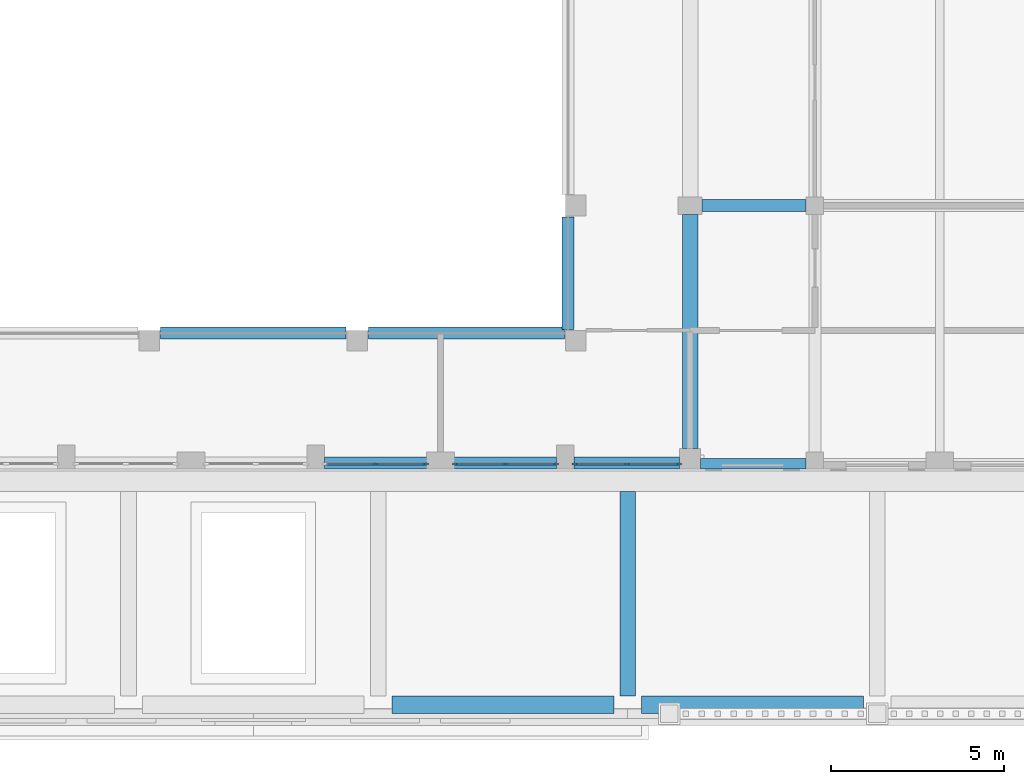
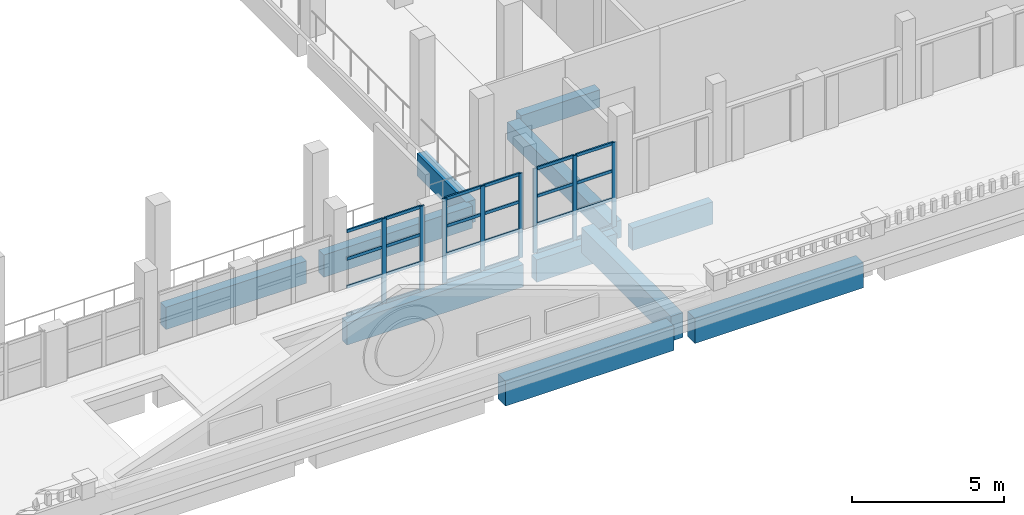
# One storey, part 7 of 58: 32 members, 11 beams, 3 elements without a shape of their own.
"""IFC4 building model written with IfcOpenShell, lengths in metres."""

from ifc_helpers import new_model, si_unit, direction, frame, origin, origin_2d, place, context, subcontext, project, spatial, rectangle, extrude, material, layer, layer_set, material_profile, profile_set, type_object, element, aggregate, save


model = new_model("IFC4")

# Units and contexts
model_context = context("Model", 3, precision=1e-05, world=origin(), true_north=direction((0.0, 1.0)))
body_context = subcontext(model_context, "Body", "Model", "MODEL_VIEW")
ifc_project = project(units=[si_unit("LENGTHUNIT", "METRE"), si_unit("AREAUNIT", "SQUARE_METRE"), si_unit("VOLUMEUNIT", "CUBIC_METRE"), si_unit("PLANEANGLEUNIT", "RADIAN"), si_unit("MASSUNIT", "GRAM", prefix="KILO")], contexts=[model_context])

# Site, building, storey
site_placement = place(None, origin())
site = spatial("IfcSite", under=ifc_project, at=site_placement, CompositionType="ELEMENT")
building_placement = place(site_placement, origin())
building = spatial("IfcBuilding", under=site, at=building_placement, Name="Ussher Court Research Institute", CompositionType="ELEMENT")
storey_placement = place(building_placement, frame((0.0, 0.0, 9.89990234375)))
storey = spatial("IfcBuildingStorey", under=building, at=storey_placement, Name="L02", CompositionType="ELEMENT", Elevation=9.89990234375)

# Curtain wall, members
ifc_material_1 = material(Name="Bronze anodised aluminium with low-e glass", Category="aluminium")
ifc_layer = layer(ifc_material_1, 0.1201171875)
ifc_layer_set = layer_set([ifc_layer], Name="Bronze anodised aluminium with low-e glass")
curtain_wall_type = type_object("IfcCurtainWallType", Name="Curtain wall atrium clear glazing", PredefinedType="NOTDEFINED", material=ifc_layer_set)
curtain_wall_1_placement = place(storey_placement, origin())
curtain_wall_1 = element("IfcCurtainWall", 1, at=curtain_wall_1_placement, inside=storey, type_object=curtain_wall_type, Name="Curtain wall CW2 L02", PredefinedType="NOTDEFINED")
ifc_material_2 = material(Name="Bronze anodised aluminium", Category="aluminium")
ifc_material_profile_1 = material_profile(ifc_material_2, rectangle(XDim=0.06005859375, YDim=0.159912109375, at=origin_2d()), Name="Mullion 60x160")
ifc_profile_set_1 = profile_set([ifc_material_profile_1], Name="Bronze anodised aluminium")
member_type_1 = type_object("IfcMemberType", Name="Mullion 60x160", PredefinedType="MULLION", material=ifc_profile_set_1)
member_1_placement = place(storey_placement, frame((63.8701171875, 10.949951171875, 0.0), z_axis=(0.0, 0.0, 1.0), x_axis=(0.0, -1.0, 0.0)))
member_1 = element("IfcMember", 2, at=member_1_placement, type_object=member_type_1, Name="CW2 mullion 1", PredefinedType="MULLION", context=body_context, shape_type="SweptSolid", body=[
    extrude(rectangle(XDim=0.06005859375, YDim=0.159912109375, at=origin_2d()), origin(), (0.0, 0.0, 1.0), 3.400146484375),
])
member_2_placement = place(storey_placement, frame((62.375, 10.949951171875, 0.0), z_axis=(0.0, 0.0, 1.0), x_axis=(0.0, -1.0, 0.0)))
member_2 = element("IfcMember", 3, at=member_2_placement, type_object=member_type_1, Name="CW2 mullion 2", PredefinedType="MULLION", context=body_context, shape_type="SweptSolid", body=[
    extrude(rectangle(XDim=0.06005859375, YDim=0.159912109375, at=origin_2d()), origin(), (0.0, 0.0, 1.0), 3.400146484375),
])
member_3_placement = place(storey_placement, frame((60.8798828125, 10.949951171875, 0.0), z_axis=(0.0, 0.0, 1.0), x_axis=(0.0, -1.0, 0.0)))
member_3 = element("IfcMember", 4, at=member_3_placement, type_object=member_type_1, Name="CW2 mullion 3", PredefinedType="MULLION", context=body_context, shape_type="SweptSolid", body=[
    extrude(rectangle(XDim=0.06005859375, YDim=0.159912109375, at=origin_2d()), origin(), (0.0, 0.0, 1.0), 3.400146484375),
])

curtain_wall_2_placement = place(storey_placement, origin())
curtain_wall_2 = element("IfcCurtainWall", 5, at=curtain_wall_2_placement, inside=storey, type_object=curtain_wall_type, Name="Curtain wall CW2 L02", PredefinedType="NOTDEFINED")
member_4_placement = place(storey_placement, frame((60.320068359375, 10.949951171875, 0.0), z_axis=(0.0, 0.0, 1.0), x_axis=(0.0, -1.0, 0.0)))
member_4 = element("IfcMember", 6, at=member_4_placement, type_object=member_type_1, Name="CW2 mullion 1", PredefinedType="MULLION", context=body_context, shape_type="SweptSolid", body=[
    extrude(rectangle(XDim=0.06005859375, YDim=0.159912109375, at=origin_2d()), origin(), (0.0, 0.0, 1.0), 3.400146484375),
])
member_5_placement = place(storey_placement, frame((58.875, 10.949951171875, 0.0), z_axis=(0.0, 0.0, 1.0), x_axis=(0.0, -1.0, 0.0)))
member_5 = element("IfcMember", 7, at=member_5_placement, type_object=member_type_1, Name="CW2 mullion 2", PredefinedType="MULLION", context=body_context, shape_type="SweptSolid", body=[
    extrude(rectangle(XDim=0.06005859375, YDim=0.159912109375, at=origin_2d()), origin(), (0.0, 0.0, 1.0), 3.400146484375),
])
member_6_placement = place(storey_placement, frame((57.429931640625, 10.949951171875, 0.0), z_axis=(0.0, 0.0, 1.0), x_axis=(0.0, -1.0, 0.0)))
member_6 = element("IfcMember", 8, at=member_6_placement, type_object=member_type_1, Name="CW2 mullion 3", PredefinedType="MULLION", context=body_context, shape_type="SweptSolid", body=[
    extrude(rectangle(XDim=0.06005859375, YDim=0.159912109375, at=origin_2d()), origin(), (0.0, 0.0, 1.0), 3.400146484375),
])

curtain_wall_3_placement = place(storey_placement, origin())
curtain_wall_3 = element("IfcCurtainWall", 9, at=curtain_wall_3_placement, inside=storey, type_object=curtain_wall_type, Name="Curtain wall CW2 L02", PredefinedType="NOTDEFINED")
member_7_placement = place(storey_placement, frame((56.570068359375, 10.949951171875, 0.0), z_axis=(0.0, 0.0, 1.0), x_axis=(0.0, -1.0, 0.0)))
member_7 = element("IfcMember", 10, at=member_7_placement, type_object=member_type_1, Name="CW2 mullion 1", PredefinedType="MULLION", context=body_context, shape_type="SweptSolid", body=[
    extrude(rectangle(XDim=0.06005859375, YDim=0.159912109375, at=origin_2d()), origin(), (0.0, 0.0, 1.0), 3.400146484375),
])
member_8_placement = place(storey_placement, frame((55.125, 10.949951171875, 0.0), z_axis=(0.0, 0.0, 1.0), x_axis=(0.0, -1.0, 0.0)))
member_8 = element("IfcMember", 11, at=member_8_placement, type_object=member_type_1, Name="CW2 mullion 2", PredefinedType="MULLION", context=body_context, shape_type="SweptSolid", body=[
    extrude(rectangle(XDim=0.06005859375, YDim=0.159912109375, at=origin_2d()), origin(), (0.0, 0.0, 1.0), 3.400146484375),
])

# Beams
ifc_material_3 = material(Name="Concrete C35/45", Category="concrete")
ifc_material_profile_2 = material_profile(ifc_material_3, rectangle(XDim=0.300048828125, YDim=0.89990234375, at=origin_2d()), Name="RC 300x900")
ifc_profile_set_2 = profile_set([ifc_material_profile_2], Name="Concrete C35/45")
beam_type_1 = type_object("IfcBeamType", Name="RC 300x900 beam", PredefinedType="BEAM", material=ifc_profile_set_2)
beam_1_placement = place(storey_placement, frame((64.5, 10.949951171875, -0.64990234375), z_axis=(1.0, 0.0, 0.0), x_axis=(0.0, 1.0, 0.0)))
element("IfcBeam", 12, at=beam_1_placement, inside=storey, type_object=beam_type_1, Name="SB2 V7 L02-03", PredefinedType="BEAM", context=body_context, shape_type="SweptSolid", body=[
    extrude(rectangle(XDim=0.300048828125, YDim=0.89990234375, at=origin_2d()), origin(), (0.0, 0.0, 1.0), 3.050048828125),
])
ifc_material_4 = material(Name="Concrete C35/45", Category="concrete")
ifc_material_profile_3 = material_profile(ifc_material_4, rectangle(XDim=0.35009765625, YDim=0.699951171875, at=origin_2d()), Name="RC 350x700")
ifc_profile_set_3 = profile_set([ifc_material_profile_3], Name="Concrete C35/45")
beam_type_2 = type_object("IfcBeamType", Name="RC 350x700 beam", PredefinedType="BEAM", material=ifc_profile_set_3)
beam_2_placement = place(storey_placement, frame((64.550048828125, 18.39990234375, -0.5498046875), z_axis=(1.0, 0.0, 0.0), x_axis=(0.0, 1.0, 0.0)))
element("IfcBeam", 13, at=beam_2_placement, inside=storey, type_object=beam_type_2, Name="B16 V7 L02-03", PredefinedType="BEAM", context=body_context, shape_type="SweptSolid", body=[
    extrude(rectangle(XDim=0.35009765625, YDim=0.699951171875, at=origin_2d()), origin(), (0.0, 0.0, 1.0), 3.0),
])
ifc_material_5 = material(Name="Concrete C35/45", Category="concrete")
ifc_material_profile_4 = material_profile(ifc_material_5, rectangle(XDim=0.35009765625, YDim=0.89990234375, at=origin_2d()), Name="RC 350x900")
ifc_profile_set_4 = profile_set([ifc_material_profile_4], Name="Concrete C35/45")
beam_type_3 = type_object("IfcBeamType", Name="RC 350x900 beam", PredefinedType="BEAM", material=ifc_profile_set_4)
beam_3_placement = place(storey_placement, frame((53.64990234375, 10.97509765625, -0.64990234375), z_axis=(1.0, 0.0, 0.0), x_axis=(0.0, 1.0, 0.0)))
element("IfcBeam", 14, at=beam_3_placement, inside=storey, type_object=beam_type_3, Name="SB1 V2 L02-03", PredefinedType="BEAM", context=body_context, shape_type="SweptSolid", body=[
    extrude(rectangle(XDim=0.35009765625, YDim=0.89990234375, at=origin_2d()), origin(), (0.0, 0.0, 1.0), 6.7001953125),
])
beam_4_placement = place(storey_placement, frame((60.85009765625, 10.97509765625, -0.64990234375), z_axis=(1.0, 0.0, 0.0), x_axis=(0.0, 1.0, 0.0)))
element("IfcBeam", 15, at=beam_4_placement, inside=storey, type_object=beam_type_3, Name="SB1 V2 L02-04", PredefinedType="BEAM", context=body_context, shape_type="SweptSolid", body=[
    extrude(rectangle(XDim=0.35009765625, YDim=0.89990234375, at=origin_2d()), origin(), (0.0, 0.0, 1.0), 3.0498046875),
])
beam_5_placement = place(storey_placement, frame((60.675048828125, 14.824951171875, -0.64990234375), z_axis=(0.0, 1.0, 0.0), x_axis=(-1.0, 0.0, 0.0)))
element("IfcBeam", 16, at=beam_5_placement, inside=storey, type_object=beam_type_3, Name="SB1 V2 L02-13", PredefinedType="BEAM", context=body_context, shape_type="SweptSolid", body=[
    extrude(rectangle(XDim=0.35009765625, YDim=0.89990234375, at=origin_2d()), origin(), (0.0, 0.0, 1.0), 3.25),
])
beam_6_placement = place(storey_placement, frame((48.925048828125, 14.72509765625, -0.64990234375), z_axis=(1.0, 0.0, 0.0), x_axis=(0.0, 1.0, 0.0)))
element("IfcBeam", 17, at=beam_6_placement, inside=storey, type_object=beam_type_3, Name="SB1 V2 L02-18", PredefinedType="BEAM", context=body_context, shape_type="SweptSolid", body=[
    extrude(rectangle(XDim=0.35009765625, YDim=0.89990234375, at=origin_2d()), origin(), (0.0, 0.0, 1.0), 5.349853515625),
])
beam_7_placement = place(storey_placement, frame((54.925048828125, 14.72509765625, -0.64990234375), z_axis=(1.0, 0.0, 0.0), x_axis=(0.0, 1.0, 0.0)))
element("IfcBeam", 18, at=beam_7_placement, inside=storey, type_object=beam_type_3, Name="SB1 V2 L02-19", PredefinedType="BEAM", context=body_context, shape_type="SweptSolid", body=[
    extrude(rectangle(XDim=0.35009765625, YDim=0.89990234375, at=origin_2d()), origin(), (0.0, 0.0, 1.0), 5.64990234375),
])
ifc_material_6 = material(Name="Concrete C35/45", Category="concrete")
ifc_material_profile_5 = material_profile(ifc_material_6, rectangle(XDim=0.449951171875, YDim=1.0, at=origin_2d()), Name="RC 450x1000")
ifc_profile_set_5 = profile_set([ifc_material_profile_5], Name="Concrete C35/45")
beam_type_4 = type_object("IfcBeamType", Name="RC 450x1000 beam", PredefinedType="BEAM", material=ifc_profile_set_5)
beam_8_placement = place(storey_placement, frame((62.39990234375, 4.25, 0.5400390625), z_axis=(0.0, 1.0, 0.0), x_axis=(-1.0, 0.0, 0.0)))
element("IfcBeam", 19, at=beam_8_placement, inside=storey, type_object=beam_type_4, Name="B19 V6 L02-05", PredefinedType="BEAM", context=body_context, shape_type="SweptSolid", body=[
    extrude(rectangle(XDim=0.449951171875, YDim=1.0, at=origin_2d()), origin(), (0.0, 0.0, 1.0), 5.89990234375),
])
ifc_material_7 = material(Name="Concrete C35/45", Category="concrete")
ifc_material_profile_6 = material_profile(ifc_material_7, rectangle(XDim=0.449951171875, YDim=0.699951171875, at=origin_2d()), Name="RC 450x700")
ifc_profile_set_6 = profile_set([ifc_material_profile_6], Name="Concrete C35/45")
beam_type_5 = type_object("IfcBeamType", Name="RC 450x700 beam", PredefinedType="BEAM", material=ifc_profile_set_6)
beam_9_placement = place(storey_placement, frame((64.199951171875, 11.39990234375, -0.5498046875), z_axis=(0.0, 1.0, 0.0), x_axis=(-1.0, 0.0, 0.0)))
element("IfcBeam", 20, at=beam_9_placement, inside=storey, type_object=beam_type_5, Name="B10 V2 L02-05", PredefinedType="BEAM", context=body_context, shape_type="SweptSolid", body=[
    extrude(rectangle(XDim=0.449951171875, YDim=0.699951171875, at=origin_2d()), origin(), (0.0, 0.0, 1.0), 6.75),
])
ifc_material_8 = material(Name="Concrete C35/45", Category="concrete")
ifc_material_profile_7 = material_profile(ifc_material_8, rectangle(XDim=0.5, YDim=1.0, at=origin_2d()), Name="RC 500x1000")
ifc_profile_set_7 = profile_set([ifc_material_profile_7], Name="Concrete C35/45")
beam_type_6 = type_object("IfcBeamType", Name="RC 500x1000 beam", PredefinedType="BEAM", material=ifc_profile_set_7)
for number, where, z_axis, x_axis, name in (
    (21, (55.60009765625, 4.0, 0.5400390625), (1.0, 0.0, 0.0), (0.0, 1.0, 0.0), "B12 V6 L02-05"),
    (22, (62.800048828125, 4.0, 0.5400390625), (1.0, 0.0, 0.0), (0.0, 1.0, 0.0), "B12 V6 L02-06"),
):
    element("IfcBeam", number, at=place(storey_placement, frame(where, z_axis=z_axis, x_axis=x_axis)), inside=storey, type_object=beam_type_6, Name=name, PredefinedType="BEAM", context=body_context, shape_type="SweptSolid", body=[
        extrude(rectangle(XDim=0.5, YDim=1.0, at=origin_2d()), origin(), (0.0, 0.0, 1.0), 6.39990234375),
    ])

# Member
ifc_material_9 = material(Name="Bronze anodised aluminium", Category="aluminium")
ifc_material_profile_8 = material_profile(ifc_material_9, rectangle(XDim=0.06005859375, YDim=0.1201171875, at=origin_2d()), Name="Transom 60x120")
ifc_profile_set_8 = profile_set([ifc_material_profile_8], Name="Bronze anodised aluminium")
member_type_2 = type_object("IfcMemberType", Name="Transom 60x120", PredefinedType="USERDEFINED", material=ifc_profile_set_8)
member_9_placement = place(storey_placement, frame((63.840087890625, 10.949951171875, 0.030029296875), z_axis=(-1.0, 0.0, 0.0), x_axis=(0.0, -1.0, 0.0)))
member_9 = element("IfcMember", 23, at=member_9_placement, type_object=member_type_2, Name="CW2 transom 1.1", ObjectType="TRANSOM", PredefinedType="USERDEFINED", context=body_context, shape_type="SweptSolid", body=[
    extrude(rectangle(XDim=0.06005859375, YDim=0.1201171875, at=origin_2d()), origin(), (0.0, 0.0, 1.0), 1.43505859375),
])

member_10_placement = place(storey_placement, frame((63.840087890625, 10.949951171875, 1.13330078125), z_axis=(-1.0, 0.0, 0.0), x_axis=(0.0, -1.0, 0.0)))
member_10 = element("IfcMember", 24, at=member_10_placement, type_object=member_type_2, Name="CW2 transom 1.2", ObjectType="TRANSOM", PredefinedType="USERDEFINED", context=body_context, shape_type="SweptSolid", body=[
    extrude(rectangle(XDim=0.06005859375, YDim=0.1201171875, at=origin_2d()), origin(), (0.0, 0.0, 1.0), 1.43505859375),
])

member_11_placement = place(storey_placement, frame((63.840087890625, 10.949951171875, 2.266845703125), z_axis=(-1.0, 0.0, 0.0), x_axis=(0.0, -1.0, 0.0)))
member_11 = element("IfcMember", 25, at=member_11_placement, type_object=member_type_2, Name="CW2 transom 1.3", ObjectType="TRANSOM", PredefinedType="USERDEFINED", context=body_context, shape_type="SweptSolid", body=[
    extrude(rectangle(XDim=0.06005859375, YDim=0.1201171875, at=origin_2d()), origin(), (0.0, 0.0, 1.0), 1.43505859375),
])

member_12_placement = place(storey_placement, frame((63.840087890625, 10.949951171875, 3.3701171875), z_axis=(-1.0, 0.0, 0.0), x_axis=(0.0, -1.0, 0.0)))
member_12 = element("IfcMember", 26, at=member_12_placement, type_object=member_type_2, Name="CW2 transom 1.4", ObjectType="TRANSOM", PredefinedType="USERDEFINED", context=body_context, shape_type="SweptSolid", body=[
    extrude(rectangle(XDim=0.06005859375, YDim=0.1201171875, at=origin_2d()), origin(), (0.0, 0.0, 1.0), 1.43505859375),
])

member_13_placement = place(storey_placement, frame((62.344970703125, 10.949951171875, 0.030029296875), z_axis=(-1.0, 0.0, 0.0), x_axis=(0.0, -1.0, 0.0)))
member_13 = element("IfcMember", 27, at=member_13_placement, type_object=member_type_2, Name="CW2 transom 2.1", ObjectType="TRANSOM", PredefinedType="USERDEFINED", context=body_context, shape_type="SweptSolid", body=[
    extrude(rectangle(XDim=0.06005859375, YDim=0.1201171875, at=origin_2d()), origin(), (0.0, 0.0, 1.0), 1.43505859375),
])

member_14_placement = place(storey_placement, frame((62.344970703125, 10.949951171875, 1.13330078125), z_axis=(-1.0, 0.0, 0.0), x_axis=(0.0, -1.0, 0.0)))
member_14 = element("IfcMember", 28, at=member_14_placement, type_object=member_type_2, Name="CW2 transom 2.2", ObjectType="TRANSOM", PredefinedType="USERDEFINED", context=body_context, shape_type="SweptSolid", body=[
    extrude(rectangle(XDim=0.06005859375, YDim=0.1201171875, at=origin_2d()), origin(), (0.0, 0.0, 1.0), 1.43505859375),
])

member_15_placement = place(storey_placement, frame((62.344970703125, 10.949951171875, 2.266845703125), z_axis=(-1.0, 0.0, 0.0), x_axis=(0.0, -1.0, 0.0)))
member_15 = element("IfcMember", 29, at=member_15_placement, type_object=member_type_2, Name="CW2 transom 2.3", ObjectType="TRANSOM", PredefinedType="USERDEFINED", context=body_context, shape_type="SweptSolid", body=[
    extrude(rectangle(XDim=0.06005859375, YDim=0.1201171875, at=origin_2d()), origin(), (0.0, 0.0, 1.0), 1.43505859375),
])

member_16_placement = place(storey_placement, frame((62.344970703125, 10.949951171875, 3.3701171875), z_axis=(-1.0, 0.0, 0.0), x_axis=(0.0, -1.0, 0.0)))
member_16 = element("IfcMember", 30, at=member_16_placement, type_object=member_type_2, Name="CW2 transom 2.4", ObjectType="TRANSOM", PredefinedType="USERDEFINED", context=body_context, shape_type="SweptSolid", body=[
    extrude(rectangle(XDim=0.06005859375, YDim=0.1201171875, at=origin_2d()), origin(), (0.0, 0.0, 1.0), 1.43505859375),
])

aggregate(curtain_wall_1, [member_1, member_2, member_3, member_9, member_10, member_11, member_12, member_13, member_14, member_15, member_16])

member_17_placement = place(storey_placement, frame((60.2900390625, 10.949951171875, 0.030029296875), z_axis=(-1.0, 0.0, 0.0), x_axis=(0.0, -1.0, 0.0)))
member_17 = element("IfcMember", 31, at=member_17_placement, type_object=member_type_2, Name="CW2 transom 1.1", ObjectType="TRANSOM", PredefinedType="USERDEFINED", context=body_context, shape_type="SweptSolid", body=[
    extrude(rectangle(XDim=0.06005859375, YDim=0.1201171875, at=origin_2d()), origin(), (0.0, 0.0, 1.0), 1.385009765625),
])

member_18_placement = place(storey_placement, frame((60.2900390625, 10.949951171875, 1.13330078125), z_axis=(-1.0, 0.0, 0.0), x_axis=(0.0, -1.0, 0.0)))
member_18 = element("IfcMember", 32, at=member_18_placement, type_object=member_type_2, Name="CW2 transom 1.2", ObjectType="TRANSOM", PredefinedType="USERDEFINED", context=body_context, shape_type="SweptSolid", body=[
    extrude(rectangle(XDim=0.06005859375, YDim=0.1201171875, at=origin_2d()), origin(), (0.0, 0.0, 1.0), 1.385009765625),
])

member_19_placement = place(storey_placement, frame((60.2900390625, 10.949951171875, 2.266845703125), z_axis=(-1.0, 0.0, 0.0), x_axis=(0.0, -1.0, 0.0)))
member_19 = element("IfcMember", 33, at=member_19_placement, type_object=member_type_2, Name="CW2 transom 1.3", ObjectType="TRANSOM", PredefinedType="USERDEFINED", context=body_context, shape_type="SweptSolid", body=[
    extrude(rectangle(XDim=0.06005859375, YDim=0.1201171875, at=origin_2d()), origin(), (0.0, 0.0, 1.0), 1.385009765625),
])

member_20_placement = place(storey_placement, frame((60.2900390625, 10.949951171875, 3.3701171875), z_axis=(-1.0, 0.0, 0.0), x_axis=(0.0, -1.0, 0.0)))
member_20 = element("IfcMember", 34, at=member_20_placement, type_object=member_type_2, Name="CW2 transom 1.4", ObjectType="TRANSOM", PredefinedType="USERDEFINED", context=body_context, shape_type="SweptSolid", body=[
    extrude(rectangle(XDim=0.06005859375, YDim=0.1201171875, at=origin_2d()), origin(), (0.0, 0.0, 1.0), 1.385009765625),
])

member_21_placement = place(storey_placement, frame((58.844970703125, 10.949951171875, 0.030029296875), z_axis=(-1.0, 0.0, 0.0), x_axis=(0.0, -1.0, 0.0)))
member_21 = element("IfcMember", 35, at=member_21_placement, type_object=member_type_2, Name="CW2 transom 2.1", ObjectType="TRANSOM", PredefinedType="USERDEFINED", context=body_context, shape_type="SweptSolid", body=[
    extrude(rectangle(XDim=0.06005859375, YDim=0.1201171875, at=origin_2d()), origin(), (0.0, 0.0, 1.0), 1.385009765625),
])

member_22_placement = place(storey_placement, frame((58.844970703125, 10.949951171875, 1.13330078125), z_axis=(-1.0, 0.0, 0.0), x_axis=(0.0, -1.0, 0.0)))
member_22 = element("IfcMember", 36, at=member_22_placement, type_object=member_type_2, Name="CW2 transom 2.2", ObjectType="TRANSOM", PredefinedType="USERDEFINED", context=body_context, shape_type="SweptSolid", body=[
    extrude(rectangle(XDim=0.06005859375, YDim=0.1201171875, at=origin_2d()), origin(), (0.0, 0.0, 1.0), 1.385009765625),
])

member_23_placement = place(storey_placement, frame((58.844970703125, 10.949951171875, 2.266845703125), z_axis=(-1.0, 0.0, 0.0), x_axis=(0.0, -1.0, 0.0)))
member_23 = element("IfcMember", 37, at=member_23_placement, type_object=member_type_2, Name="CW2 transom 2.3", ObjectType="TRANSOM", PredefinedType="USERDEFINED", context=body_context, shape_type="SweptSolid", body=[
    extrude(rectangle(XDim=0.06005859375, YDim=0.1201171875, at=origin_2d()), origin(), (0.0, 0.0, 1.0), 1.385009765625),
])

member_24_placement = place(storey_placement, frame((58.844970703125, 10.949951171875, 3.3701171875), z_axis=(-1.0, 0.0, 0.0), x_axis=(0.0, -1.0, 0.0)))
member_24 = element("IfcMember", 38, at=member_24_placement, type_object=member_type_2, Name="CW2 transom 2.4", ObjectType="TRANSOM", PredefinedType="USERDEFINED", context=body_context, shape_type="SweptSolid", body=[
    extrude(rectangle(XDim=0.06005859375, YDim=0.1201171875, at=origin_2d()), origin(), (0.0, 0.0, 1.0), 1.385009765625),
])

aggregate(curtain_wall_2, [member_4, member_5, member_6, member_17, member_18, member_19, member_20, member_21, member_22, member_23, member_24])

member_25_placement = place(storey_placement, frame((56.5400390625, 10.949951171875, 0.030029296875), z_axis=(-1.0, 0.0, 0.0), x_axis=(0.0, -1.0, 0.0)))
member_25 = element("IfcMember", 39, at=member_25_placement, type_object=member_type_2, Name="CW2 transom 1.1", ObjectType="TRANSOM", PredefinedType="USERDEFINED", context=body_context, shape_type="SweptSolid", body=[
    extrude(rectangle(XDim=0.06005859375, YDim=0.1201171875, at=origin_2d()), origin(), (0.0, 0.0, 1.0), 1.385009765625),
])

member_26_placement = place(storey_placement, frame((56.5400390625, 10.949951171875, 1.13330078125), z_axis=(-1.0, 0.0, 0.0), x_axis=(0.0, -1.0, 0.0)))
member_26 = element("IfcMember", 40, at=member_26_placement, type_object=member_type_2, Name="CW2 transom 1.2", ObjectType="TRANSOM", PredefinedType="USERDEFINED", context=body_context, shape_type="SweptSolid", body=[
    extrude(rectangle(XDim=0.06005859375, YDim=0.1201171875, at=origin_2d()), origin(), (0.0, 0.0, 1.0), 1.385009765625),
])

member_27_placement = place(storey_placement, frame((56.5400390625, 10.949951171875, 2.266845703125), z_axis=(-1.0, 0.0, 0.0), x_axis=(0.0, -1.0, 0.0)))
member_27 = element("IfcMember", 41, at=member_27_placement, type_object=member_type_2, Name="CW2 transom 1.3", ObjectType="TRANSOM", PredefinedType="USERDEFINED", context=body_context, shape_type="SweptSolid", body=[
    extrude(rectangle(XDim=0.06005859375, YDim=0.1201171875, at=origin_2d()), origin(), (0.0, 0.0, 1.0), 1.385009765625),
])

member_28_placement = place(storey_placement, frame((56.5400390625, 10.949951171875, 3.3701171875), z_axis=(-1.0, 0.0, 0.0), x_axis=(0.0, -1.0, 0.0)))
member_28 = element("IfcMember", 42, at=member_28_placement, type_object=member_type_2, Name="CW2 transom 1.4", ObjectType="TRANSOM", PredefinedType="USERDEFINED", context=body_context, shape_type="SweptSolid", body=[
    extrude(rectangle(XDim=0.06005859375, YDim=0.1201171875, at=origin_2d()), origin(), (0.0, 0.0, 1.0), 1.385009765625),
])

member_29_placement = place(storey_placement, frame((55.094970703125, 10.949951171875, 0.030029296875), z_axis=(-1.0, 0.0, 0.0), x_axis=(0.0, -1.0, 0.0)))
member_29 = element("IfcMember", 43, at=member_29_placement, type_object=member_type_2, Name="CW2 transom 2.1", ObjectType="TRANSOM", PredefinedType="USERDEFINED", context=body_context, shape_type="SweptSolid", body=[
    extrude(rectangle(XDim=0.06005859375, YDim=0.1201171875, at=origin_2d()), origin(), (0.0, 0.0, 1.0), 1.385009765625),
])

member_30_placement = place(storey_placement, frame((55.094970703125, 10.949951171875, 1.13330078125), z_axis=(-1.0, 0.0, 0.0), x_axis=(0.0, -1.0, 0.0)))
member_30 = element("IfcMember", 44, at=member_30_placement, type_object=member_type_2, Name="CW2 transom 2.2", ObjectType="TRANSOM", PredefinedType="USERDEFINED", context=body_context, shape_type="SweptSolid", body=[
    extrude(rectangle(XDim=0.06005859375, YDim=0.1201171875, at=origin_2d()), origin(), (0.0, 0.0, 1.0), 1.385009765625),
])

member_31_placement = place(storey_placement, frame((55.094970703125, 10.949951171875, 2.266845703125), z_axis=(-1.0, 0.0, 0.0), x_axis=(0.0, -1.0, 0.0)))
member_31 = element("IfcMember", 45, at=member_31_placement, type_object=member_type_2, Name="CW2 transom 2.3", ObjectType="TRANSOM", PredefinedType="USERDEFINED", context=body_context, shape_type="SweptSolid", body=[
    extrude(rectangle(XDim=0.06005859375, YDim=0.1201171875, at=origin_2d()), origin(), (0.0, 0.0, 1.0), 1.385009765625),
])

member_32_placement = place(storey_placement, frame((55.094970703125, 10.949951171875, 3.3701171875), z_axis=(-1.0, 0.0, 0.0), x_axis=(0.0, -1.0, 0.0)))
member_32 = element("IfcMember", 46, at=member_32_placement, type_object=member_type_2, Name="CW2 transom 2.4", ObjectType="TRANSOM", PredefinedType="USERDEFINED", context=body_context, shape_type="SweptSolid", body=[
    extrude(rectangle(XDim=0.06005859375, YDim=0.1201171875, at=origin_2d()), origin(), (0.0, 0.0, 1.0), 1.385009765625),
])

aggregate(curtain_wall_3, [member_7, member_8, member_25, member_26, member_27, member_28, member_29, member_30, member_31, member_32])

save(model, "model.ifc")
